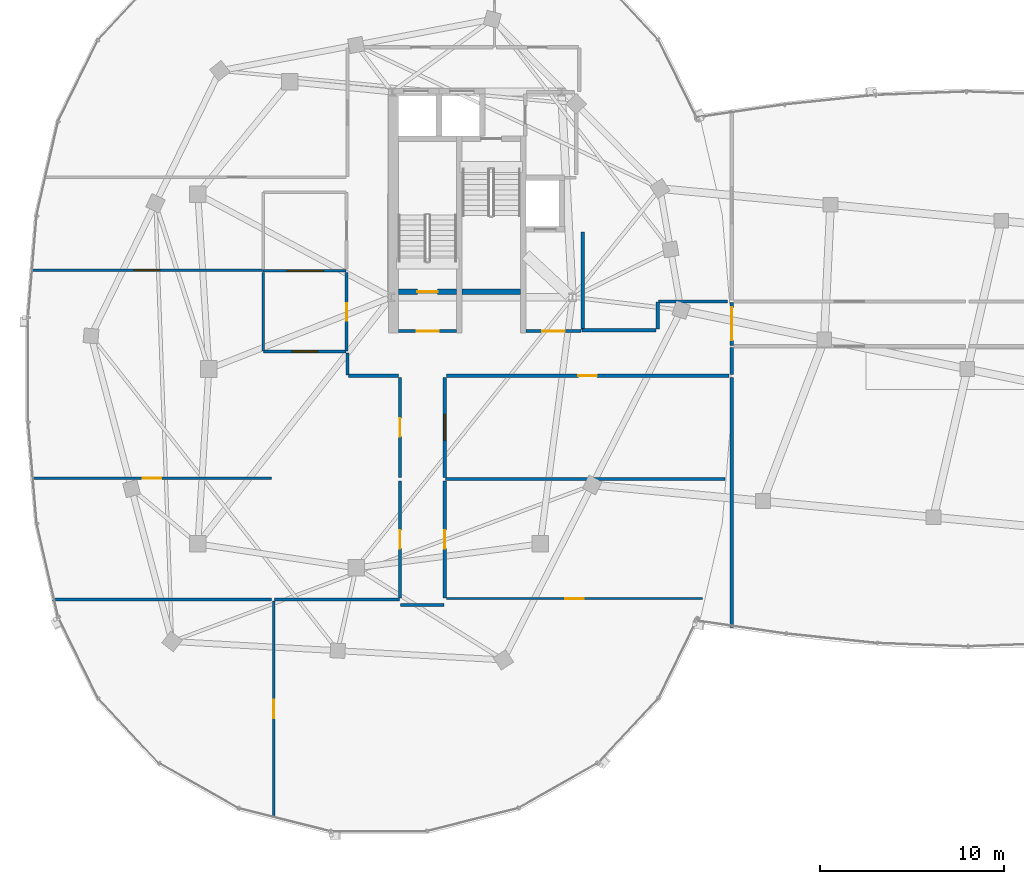
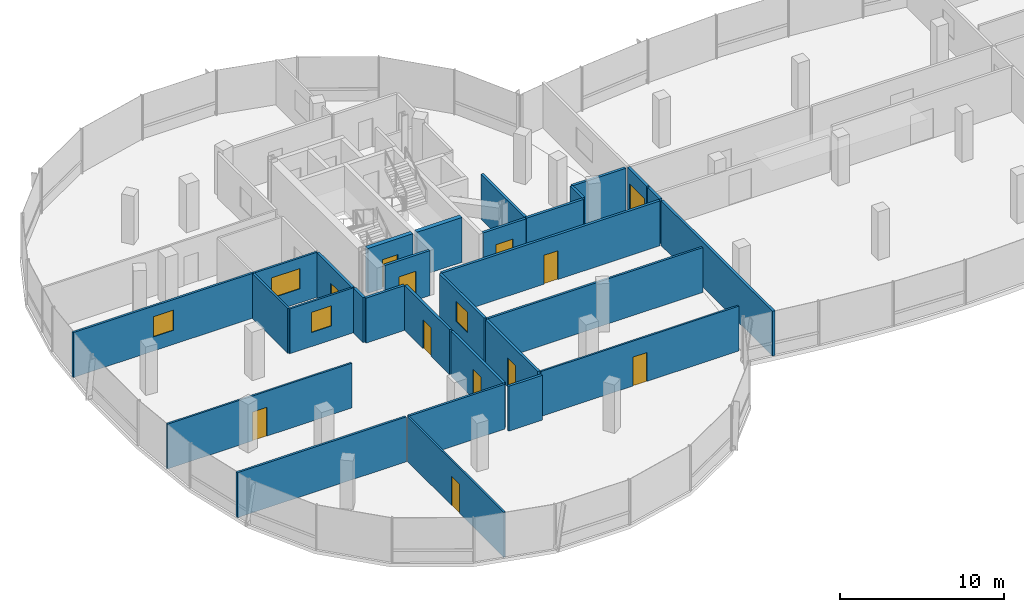
# One storey, part 14 of 26: 30 walls, 12 doors, 4 windows, 16 openings.
"""IFC4 building model written with IfcOpenShell, lengths in metres."""

from ifc_helpers import new_model, si_unit, direction, frame, frame_2d, origin, place, context, subcontext, project, spatial, rectangle, extrude, material, layer, layer_set, type_object, element, fill, save


model = new_model("IFC4")

# Units and contexts
model_context = context("Model", 3, precision=1e-05, world=origin(), true_north=direction((0.0, 1.0)))
body_context = subcontext(model_context, "Body", "Model", "MODEL_VIEW")
ifc_project = project(units=[si_unit("LENGTHUNIT", "METRE"), si_unit("AREAUNIT", "SQUARE_METRE"), si_unit("VOLUMEUNIT", "CUBIC_METRE"), si_unit("PLANEANGLEUNIT", "RADIAN"), si_unit("MASSUNIT", "GRAM", prefix="KILO"), si_unit("THERMODYNAMICTEMPERATUREUNIT", "KELVIN"), si_unit("POWERUNIT", "WATT")], contexts=[model_context])

# Site, building, storey
site_placement = place(None, origin())
site = spatial("IfcSite", under=ifc_project, at=site_placement, CompositionType="ELEMENT")
building_placement = place(site_placement, origin())
building = spatial("IfcBuilding", under=site, at=building_placement, Name="Cundina Bronze Exchange", CompositionType="ELEMENT")
storey_placement = place(building_placement, frame((0.0, 0.0, 243.199951171875)))
storey = spatial("IfcBuildingStorey", under=building, at=storey_placement, Name="L64", CompositionType="ELEMENT", Elevation=243.199951171875)

# Wall
ifc_material_1 = material(Name="Gypsum Fireboard Partition EI120")
ifc_layer_1 = layer(ifc_material_1, 0.179931640625, Name="Gypsum Fireboard Partition EI120")
ifc_layer_set_1 = layer_set([ifc_layer_1], Name="Gypsum Fireboard Partition EI120")
wall_type_1 = type_object("IfcWallType", Name="WL-COR-180", PredefinedType="PARTITIONING", material=ifc_layer_set_1)
wall_1_placement = place(storey_placement, frame((-20.889892578125, 2.14990234375, 0.0), z_axis=(0.0, 0.0, 1.0), x_axis=(0.0, 1.0, 0.0)))
element("IfcWall", 1, at=wall_1_placement, inside=storey, type_object=wall_type_1, Name="L64 W Firefighting Lobby Side Wall", PredefinedType="PARTITIONING", context=body_context, shape_type="SweptSolid", body=[
    extrude(rectangle(XDim=5.300048828125, YDim=0.179931640625, at=frame_2d((2.64990234375, 0.0))), origin(), (0.0, 0.0, 1.0), 3.340087890625),
])

# Wall, opening, door
wall_2_placement = place(storey_placement, frame((-23.97998046875, 2.06005859375, 0.0), z_axis=(0.0, 0.0, 1.0), x_axis=(1.0, 0.0, 0.0)))
wall_2 = element("IfcWall", 2, at=wall_2_placement, inside=storey, type_object=wall_type_1, Name="L64 W Firefighting Lobby Exit Wall", PredefinedType="PARTITIONING", context=body_context, shape_type="SweptSolid", body=[
    extrude(rectangle(XDim=3.0, YDim=0.179931640625, at=frame_2d((1.5, 0.0))), origin(), (0.0, 0.0, 1.0), 3.340087890625),
])
opening_1_placement = place(wall_2_placement, frame((0.89990234375, 0.0, 0.0)))
opening_1 = element("IfcOpeningElement", 3, at=opening_1_placement, cuts=wall_2, Name="Opening DF-01", PredefinedType="OPENING", context=body_context, shape_type="SweptSolid", body=[
    extrude(rectangle(XDim=1.199951171875, YDim=2.14990234375, at=frame_2d((0.60009765625, 1.074951171875))), frame((0.0, 0.099853515625, 0.0), z_axis=(0.0, -1.0, 0.0), x_axis=(1.0, 0.0, 0.0)), (0.0, 0.0, 1.0), 0.199951171875),
])
ifc_material_2 = material(Name="Steel ASTM A36 Painted", Category="steel")
door_type_1 = type_object("IfcDoorType", Name="DR-FFL-1200", OperationType="NOTDEFINED", PredefinedType="DOOR", material=ifc_material_2)
door_1_placement = place(opening_1_placement, origin())
door_1 = element("IfcDoor", 4, at=door_1_placement, inside=storey, type_object=door_type_1, Name="L64 W Firefighting Lobby Door", OperationType="SINGLE_SWING_RIGHT", OverallHeight=2.14990234375, OverallWidth=1.199951171875, PredefinedType="DOOR", context=body_context, shape_type="SweptSolid", body=[
    extrude(rectangle(XDim=1.199951171875, YDim=2.14990234375, at=frame_2d((0.60009765625, 1.074951171875))), frame((0.0, 0.02490234375, 0.0), z_axis=(0.0, -1.0, 0.0), x_axis=(1.0, 0.0, 0.0)), (0.0, 0.0, 1.0), 0.050048828125),
])
fill(opening_1, door_1)

wall_3_placement = place(storey_placement, frame((-30.89990234375, 2.06005859375, 0.0), z_axis=(0.0, 0.0, 1.0), x_axis=(1.0, 0.0, 0.0)))
wall_3 = element("IfcWall", 5, at=wall_3_placement, inside=storey, type_object=wall_type_1, Name="L64 W Stair Vestibule Exit Wall", PredefinedType="PARTITIONING", context=body_context, shape_type="SweptSolid", body=[
    extrude(rectangle(XDim=3.159912109375, YDim=0.179931640625, at=frame_2d((1.580078125, 0.0))), origin(), (0.0, 0.0, 1.0), 3.340087890625),
])
opening_2_placement = place(wall_3_placement, frame((0.97998046875, 0.0, 0.0)))
opening_2 = element("IfcOpeningElement", 6, at=opening_2_placement, cuts=wall_3, Name="Opening DF-01", PredefinedType="OPENING", context=body_context, shape_type="SweptSolid", body=[
    extrude(rectangle(XDim=1.199951171875, YDim=2.14990234375, at=frame_2d((0.60009765625, 1.074951171875))), frame((0.0, 0.099853515625, 0.0), z_axis=(0.0, -1.0, 0.0), x_axis=(1.0, 0.0, 0.0)), (0.0, 0.0, 1.0), 0.199951171875),
])
door_2_placement = place(opening_2_placement, origin())
door_2 = element("IfcDoor", 7, at=door_2_placement, inside=storey, type_object=door_type_1, Name="L64 W Stair Vestibule Door", OperationType="SINGLE_SWING_LEFT", OverallHeight=2.14990234375, OverallWidth=1.199951171875, PredefinedType="DOOR", context=body_context, shape_type="SweptSolid", body=[
    extrude(rectangle(XDim=1.199951171875, YDim=2.14990234375, at=frame_2d((0.60009765625, 1.074951171875))), frame((0.0, 0.02490234375, 0.0), z_axis=(0.0, -1.0, 0.0), x_axis=(1.0, 0.0, 0.0)), (0.0, 0.0, 1.0), 0.050048828125),
])
fill(opening_2, door_2)

wall_4_placement = place(storey_placement, frame((-33.719970703125, 0.969970703125, 0.0), z_axis=(0.0, 0.0, 1.0), x_axis=(0.0, 1.0, 0.0)))
wall_4 = element("IfcWall", 8, at=wall_4_placement, inside=storey, type_object=wall_type_1, Name="L64 Interior Partition 010", PredefinedType="PARTITIONING", context=body_context, shape_type="SweptSolid", body=[
    extrude(rectangle(XDim=4.260009765625, YDim=0.179931640625, at=frame_2d((2.1298828125, 0.0))), origin(), (0.0, 0.0, 1.0), 3.340087890625),
])
opening_3_placement = place(wall_4_placement, frame((1.655029296875, 0.0, 0.0)))
opening_3 = element("IfcOpeningElement", 9, at=opening_3_placement, cuts=wall_4, Name="Opening DW-01", PredefinedType="OPENING", context=body_context, shape_type="SweptSolid", body=[
    extrude(rectangle(XDim=0.949951171875, YDim=2.10009765625, at=frame_2d((0.47509765625, 1.050048828125))), frame((0.0, 0.099853515625, 0.0), z_axis=(0.0, -1.0, 0.0), x_axis=(1.0, 0.0, 0.0)), (0.0, 0.0, 1.0), 0.199951171875),
])
ifc_material_3 = material(Name="Solid Andean Oak Timber Grade A", Category="wood")
door_type_2 = type_object("IfcDoorType", Name="DR-WC-950", OperationType="NOTDEFINED", PredefinedType="DOOR", material=ifc_material_3)
door_3_placement = place(opening_3_placement, origin())
door_3 = element("IfcDoor", 10, at=door_3_placement, inside=storey, type_object=door_type_2, Name="L64 Interior Door 010", OperationType="SINGLE_SWING_LEFT", OverallHeight=2.10009765625, OverallWidth=0.949951171875, PredefinedType="DOOR", context=body_context, shape_type="SweptSolid", body=[
    extrude(rectangle(XDim=0.949951171875, YDim=2.10009765625, at=frame_2d((0.47509765625, 1.050048828125))), frame((0.0, 0.02490234375, 0.0), z_axis=(0.0, -1.0, 0.0), x_axis=(1.0, 0.0, 0.0)), (0.0, 0.0, 1.0), 0.050048828125),
])
fill(opening_3, door_3)

# Wall
wall_5_placement = place(storey_placement, frame((-30.778564453125, -12.820068359375, 0.0), z_axis=(0.0, 0.0, 1.0), x_axis=(1.0, 0.0, 0.0)))
element("IfcWall", 11, at=wall_5_placement, inside=storey, type_object=wall_type_1, Name="L64 Interior Partition 017", PredefinedType="PARTITIONING", context=body_context, shape_type="SweptSolid", body=[
    extrude(rectangle(XDim=2.357177734375, YDim=0.179931640625, at=frame_2d((1.1787109375, 0.0))), origin(), (0.0, 0.0, 1.0), 3.340087890625),
])

# Wall, opening, door
wall_6_placement = place(storey_placement, frame((-30.820068359375, -6.070068359375, 0.0), z_axis=(0.0, 0.0, 1.0), x_axis=(0.0, -1.0, 0.0)))
wall_6 = element("IfcWall", 12, at=wall_6_placement, inside=storey, type_object=wall_type_1, Name="L64 Interior Partition 018", PredefinedType="PARTITIONING", context=body_context, shape_type="SweptSolid", body=[
    extrude(rectangle(XDim=6.35986328125, YDim=0.179931640625, at=frame_2d((3.179931640625, 0.0))), origin(), (0.0, 0.0, 1.0), 3.340087890625),
])
opening_4_placement = place(wall_6_placement, frame((2.679931640625, 0.0, 0.0)))
opening_4 = element("IfcOpeningElement", 13, at=opening_4_placement, cuts=wall_6, Name="Opening DO-01", PredefinedType="OPENING", context=body_context, shape_type="SweptSolid", body=[
    extrude(rectangle(XDim=1.0, YDim=2.14990234375, at=frame_2d((0.5, 1.074951171875))), frame((0.0, 0.099853515625, 0.0), z_axis=(0.0, -1.0, 0.0), x_axis=(1.0, 0.0, 0.0)), (0.0, 0.0, 1.0), 0.199951171875),
])
door_type_3 = type_object("IfcDoorType", Name="DR-OFF-1000", OperationType="NOTDEFINED", PredefinedType="DOOR", material=ifc_material_3)
door_4_placement = place(opening_4_placement, origin())
door_4 = element("IfcDoor", 14, at=door_4_placement, inside=storey, type_object=door_type_3, Name="L64 Interior Door 018", OperationType="SINGLE_SWING_RIGHT", OverallHeight=2.14990234375, OverallWidth=1.0, PredefinedType="DOOR", context=body_context, shape_type="SweptSolid", body=[
    extrude(rectangle(XDim=1.0, YDim=2.14990234375, at=frame_2d((0.5, 1.074951171875))), frame((0.0, 0.02490234375, 0.0), z_axis=(0.0, -1.0, 0.0), x_axis=(1.0, 0.0, 0.0)), (0.0, 0.0, 1.0), 0.050048828125),
])
fill(opening_4, door_4)

wall_7_placement = place(storey_placement, frame((-28.3798828125, -12.429931640625, 0.0), z_axis=(0.0, 0.0, 1.0), x_axis=(0.0, 1.0, 0.0)))
wall_7 = element("IfcWall", 15, at=wall_7_placement, inside=storey, type_object=wall_type_1, Name="L64 Interior Partition 019", PredefinedType="PARTITIONING", context=body_context, shape_type="SweptSolid", body=[
    extrude(rectangle(XDim=6.35986328125, YDim=0.179931640625, at=frame_2d((3.179931640625, 0.0))), origin(), (0.0, 0.0, 1.0), 3.340087890625),
])
opening_5_placement = place(wall_7_placement, frame((2.679931640625, 0.0, 0.0)))
opening_5 = element("IfcOpeningElement", 16, at=opening_5_placement, cuts=wall_7, Name="Opening DO-01", PredefinedType="OPENING", context=body_context, shape_type="SweptSolid", body=[
    extrude(rectangle(XDim=1.0, YDim=2.14990234375, at=frame_2d((0.5, 1.074951171875))), frame((0.0, 0.099853515625, 0.0), z_axis=(0.0, -1.0, 0.0), x_axis=(1.0, 0.0, 0.0)), (0.0, 0.0, 1.0), 0.199951171875),
])
door_5_placement = place(opening_5_placement, origin())
door_5 = element("IfcDoor", 17, at=door_5_placement, inside=storey, type_object=door_type_3, Name="L64 Interior Door 019", OperationType="SINGLE_SWING_LEFT", OverallHeight=2.14990234375, OverallWidth=1.0, PredefinedType="DOOR", context=body_context, shape_type="SweptSolid", body=[
    extrude(rectangle(XDim=1.0, YDim=2.14990234375, at=frame_2d((0.5, 1.074951171875))), frame((0.0, 0.02490234375, 0.0), z_axis=(0.0, -1.0, 0.0), x_axis=(1.0, 0.0, 0.0)), (0.0, 0.0, 1.0), 0.050048828125),
])
fill(opening_5, door_5)

wall_8_placement = place(storey_placement, frame((-28.300048828125, -0.3701171875, 0.0), z_axis=(0.0, 0.0, 1.0), x_axis=(1.0, 0.0, 0.0)))
wall_8 = element("IfcWall", 18, at=wall_8_placement, inside=storey, type_object=wall_type_1, Name="L64 Interior Partition 020", PredefinedType="PARTITIONING", context=body_context, shape_type="SweptSolid", body=[
    extrude(rectangle(XDim=15.34912109375, YDim=0.179931640625, at=frame_2d((7.674560546875, 0.0))), origin(), (0.0, 0.0, 1.0), 3.340087890625),
])
opening_6_placement = place(wall_8_placement, frame((7.174560546875, 0.0, 0.0)))
opening_6 = element("IfcOpeningElement", 19, at=opening_6_placement, cuts=wall_8, Name="Opening DO-01", PredefinedType="OPENING", context=body_context, shape_type="SweptSolid", body=[
    extrude(rectangle(XDim=1.0, YDim=2.14990234375, at=frame_2d((0.5, 1.074951171875))), frame((0.0, 0.099853515625, 0.0), z_axis=(0.0, -1.0, 0.0), x_axis=(1.0, 0.0, 0.0)), (0.0, 0.0, 1.0), 0.199951171875),
])
door_6_placement = place(opening_6_placement, origin())
door_6 = element("IfcDoor", 20, at=door_6_placement, inside=storey, type_object=door_type_3, Name="L64 Interior Door 020", OperationType="SINGLE_SWING_LEFT", OverallHeight=2.14990234375, OverallWidth=1.0, PredefinedType="DOOR", context=body_context, shape_type="SweptSolid", body=[
    extrude(rectangle(XDim=1.0, YDim=2.14990234375, at=frame_2d((0.5, 1.074951171875))), frame((0.0, 0.02490234375, 0.0), z_axis=(0.0, -1.0, 0.0), x_axis=(1.0, 0.0, 0.0)), (0.0, 0.0, 1.0), 0.050048828125),
])
fill(opening_6, door_6)

# Wall, opening, window
wall_9_placement = place(storey_placement, frame((-28.3798828125, -5.889892578125, 0.0), z_axis=(0.0, 0.0, 1.0), x_axis=(0.0, 1.0, 0.0)))
wall_9 = element("IfcWall", 21, at=wall_9_placement, inside=storey, type_object=wall_type_1, Name="L64 Interior Partition 021", PredefinedType="PARTITIONING", context=body_context, shape_type="SweptSolid", body=[
    extrude(rectangle(XDim=5.43994140625, YDim=0.179931640625, at=frame_2d((2.719970703125, 0.0))), origin(), (0.0, 0.0, 1.0), 3.340087890625),
])
opening_7_placement = place(wall_9_placement, frame((2.02001953125, 0.0, 1.050048828125)))
opening_7 = element("IfcOpeningElement", 22, at=opening_7_placement, cuts=wall_9, Name="Opening WI-02", PredefinedType="OPENING", context=body_context, shape_type="SweptSolid", body=[
    extrude(rectangle(XDim=1.39990234375, YDim=1.5, at=frame_2d((0.699951171875, 0.75))), frame((0.0, 0.099853515625, 0.0), z_axis=(0.0, -1.0, 0.0), x_axis=(1.0, 0.0, 0.0)), (0.0, 0.0, 1.0), 0.199951171875),
])
ifc_material_4 = material(Name="Clear Low-E Insulating Glass 26mm", Category="glass")
window_type_1 = type_object("IfcWindowType", Name="WN-INT-1400", PartitioningType="SINGLE_PANEL", PredefinedType="WINDOW", material=ifc_material_4)
window_1_placement = place(opening_7_placement, origin())
window_1 = element("IfcWindow", 23, at=window_1_placement, inside=storey, type_object=window_type_1, Name="L64 Interior Acoustic Vision Window 021", OverallHeight=1.5, OverallWidth=1.39990234375, PartitioningType="SINGLE_PANEL", PredefinedType="WINDOW", context=body_context, shape_type="SweptSolid", body=[
    extrude(rectangle(XDim=1.39990234375, YDim=1.5, at=frame_2d((0.699951171875, 0.75))), frame((0.0, 0.030029296875, 0.0), z_axis=(0.0, -1.0, 0.0), x_axis=(1.0, 0.0, 0.0)), (0.0, 0.0, 1.0), 0.06005859375),
])
fill(opening_7, window_1)

# Wall, opening, door
wall_10_placement = place(storey_placement, frame((-30.820068359375, -0.449951171875, 0.0), z_axis=(0.0, 0.0, 1.0), x_axis=(0.0, -1.0, 0.0)))
wall_10 = element("IfcWall", 24, at=wall_10_placement, inside=storey, type_object=wall_type_1, Name="L64 Interior Partition 022", PredefinedType="PARTITIONING", context=body_context, shape_type="SweptSolid", body=[
    extrude(rectangle(XDim=5.43994140625, YDim=0.179931640625, at=frame_2d((2.719970703125, 0.0))), origin(), (0.0, 0.0, 1.0), 3.340087890625),
])
opening_8_placement = place(wall_10_placement, frame((2.219970703125, 0.0, 0.0)))
opening_8 = element("IfcOpeningElement", 25, at=opening_8_placement, cuts=wall_10, Name="Opening DO-01", PredefinedType="OPENING", context=body_context, shape_type="SweptSolid", body=[
    extrude(rectangle(XDim=1.0, YDim=2.14990234375, at=frame_2d((0.5, 1.074951171875))), frame((0.0, 0.099853515625, 0.0), z_axis=(0.0, -1.0, 0.0), x_axis=(1.0, 0.0, 0.0)), (0.0, 0.0, 1.0), 0.199951171875),
])
door_7_placement = place(opening_8_placement, origin())
door_7 = element("IfcDoor", 26, at=door_7_placement, inside=storey, type_object=door_type_3, Name="L64 Interior Door 022", OperationType="SINGLE_SWING_RIGHT", OverallHeight=2.14990234375, OverallWidth=1.0, PredefinedType="DOOR", context=body_context, shape_type="SweptSolid", body=[
    extrude(rectangle(XDim=1.0, YDim=2.14990234375, at=frame_2d((0.5, 1.074951171875))), frame((0.0, 0.02490234375, 0.0), z_axis=(0.0, -1.0, 0.0), x_axis=(1.0, 0.0, 0.0)), (0.0, 0.0, 1.0), 0.050048828125),
])
fill(opening_8, door_7)

# Walls
wall_11_placement = place(storey_placement, frame((-33.62841796875, -0.3701171875, 0.0), z_axis=(0.0, 0.0, 1.0), x_axis=(1.0, 0.0, 0.0)))
element("IfcWall", 27, at=wall_11_placement, inside=storey, type_object=wall_type_1, Name="L64 Interior Partition 023", PredefinedType="PARTITIONING", context=body_context, shape_type="SweptSolid", body=[
    extrude(rectangle(XDim=2.728515625, YDim=0.179931640625, at=frame_2d((1.3642578125, 0.0))), origin(), (0.0, 0.0, 1.0), 3.340087890625),
])
wall_12_placement = place(storey_placement, frame((-33.669921875, 0.858642578125, 0.0), z_axis=(0.0, 0.0, 1.0), x_axis=(0.0, -1.0, 0.0)))
element("IfcWall", 28, at=wall_12_placement, inside=storey, type_object=wall_type_1, Name="L64 Interior Partition 024", PredefinedType="PARTITIONING", context=body_context, shape_type="SweptSolid", body=[
    extrude(rectangle(XDim=1.187255859375, YDim=0.179931640625, at=frame_2d((0.59375, 0.0))), origin(), (0.0, 0.0, 1.0), 3.340087890625),
])
wall_13_placement = place(storey_placement, frame((-16.89990234375, 2.10009765625, 0.0), z_axis=(0.0, 0.0, 1.0), x_axis=(-1.0, 0.0, 0.0)))
element("IfcWall", 29, at=wall_13_placement, inside=storey, type_object=wall_type_1, Name="L64 Interior Partition 026", PredefinedType="PARTITIONING", context=body_context, shape_type="SweptSolid", body=[
    extrude(rectangle(XDim=4.02001953125, YDim=0.179931640625, at=frame_2d((2.010009765625, 0.0))), origin(), (0.0, 0.0, 1.0), 3.340087890625),
])
wall_14_placement = place(storey_placement, frame((-13.025634765625, 3.669921875, 0.0), z_axis=(0.0, 0.0, 1.0), x_axis=(-1.0, 0.0, 0.0)))
element("IfcWall", 30, at=wall_14_placement, inside=storey, type_object=wall_type_1, Name="L64 Interior Partition 027", PredefinedType="PARTITIONING", context=body_context, shape_type="SweptSolid", body=[
    extrude(rectangle(XDim=3.7529296875, YDim=0.179931640625, at=frame_2d((1.87646484375, 0.0))), origin(), (0.0, 0.0, 1.0), 3.340087890625),
])
wall_15_placement = place(storey_placement, frame((-16.820068359375, 3.62841796875, 0.0), z_axis=(0.0, 0.0, 1.0), x_axis=(0.0, -1.0, 0.0)))
element("IfcWall", 31, at=wall_15_placement, inside=storey, type_object=wall_type_1, Name="L64 Interior Partition 029", PredefinedType="PARTITIONING", context=body_context, shape_type="SweptSolid", body=[
    extrude(rectangle(XDim=1.448486328125, YDim=0.179931640625, at=frame_2d((0.72412109375, 0.0))), origin(), (0.0, 0.0, 1.0), 3.340087890625),
])
wall_16_placement = place(storey_placement, frame((-12.800048828125, -14.043701171875, 0.0), z_axis=(0.0, 0.0, 1.0), x_axis=(0.0, 1.0, 0.0)))
element("IfcWall", 32, at=wall_16_placement, inside=storey, type_object=wall_type_1, Name="L64 Interior Partition 072", PredefinedType="PARTITIONING", context=body_context, shape_type="SweptSolid", body=[
    extrude(rectangle(XDim=13.588623046875, YDim=0.179931640625, at=frame_2d((6.79443359375, 0.0))), origin(), (0.0, 0.0, 1.0), 3.340087890625),
])
wall_17_placement = place(storey_placement, frame((-12.800048828125, -0.284912109375, 0.0), z_axis=(0.0, 0.0, 1.0), x_axis=(0.0, 1.0, 0.0)))
element("IfcWall", 33, at=wall_17_placement, inside=storey, type_object=wall_type_1, Name="L64 Interior Partition 073", PredefinedType="PARTITIONING", context=body_context, shape_type="SweptSolid", body=[
    extrude(rectangle(XDim=1.44482421875, YDim=0.179931640625, at=frame_2d((0.722412109375, 0.0))), origin(), (0.0, 0.0, 1.0), 3.340087890625),
])

# Wall, opening, door
wall_18_placement = place(storey_placement, frame((-12.800048828125, 1.280029296875, 0.0), z_axis=(0.0, 0.0, 1.0), x_axis=(0.0, 1.0, 0.0)))
wall_18 = element("IfcWall", 34, at=wall_18_placement, inside=storey, type_object=wall_type_1, Name="L64 Interior Partition 075", PredefinedType="PARTITIONING", context=body_context, shape_type="SweptSolid", body=[
    extrude(rectangle(XDim=2.340087890625, YDim=0.179931640625, at=frame_2d((1.169921875, 0.0))), origin(), (0.0, 0.0, 1.0), 3.340087890625),
])
opening_9_placement = place(wall_18_placement, frame((0.27001953125, 0.0, 0.0)))
opening_9 = element("IfcOpeningElement", 35, at=opening_9_placement, cuts=wall_18, Name="Opening DB-01", PredefinedType="OPENING", context=body_context, shape_type="SweptSolid", body=[
    extrude(rectangle(XDim=1.800048828125, YDim=2.25, at=frame_2d((0.89990234375, 1.125))), frame((0.0, 0.099853515625, 0.0), z_axis=(0.0, -1.0, 0.0), x_axis=(1.0, 0.0, 0.0)), (0.0, 0.0, 1.0), 0.199951171875),
])
door_type_4 = type_object("IfcDoorType", Name="DR-BRG-1800", OperationType="NOTDEFINED", PredefinedType="DOOR", material=ifc_material_2)
door_8_placement = place(opening_9_placement, origin())
door_8 = element("IfcDoor", 36, at=door_8_placement, inside=storey, type_object=door_type_4, Name="L64 Interior Door 075", OperationType="DOUBLE_DOOR_SINGLE_SWING", OverallHeight=2.25, OverallWidth=1.800048828125, PredefinedType="DOOR", context=body_context, shape_type="SweptSolid", body=[
    extrude(rectangle(XDim=1.800048828125, YDim=2.25, at=frame_2d((0.89990234375, 1.125))), frame((0.0, 0.02490234375, 0.0), z_axis=(0.0, -1.0, 0.0), x_axis=(1.0, 0.0, 0.0)), (0.0, 0.0, 1.0), 0.050048828125),
])
fill(opening_9, door_8)

ifc_material_5 = material(Name="Gypsum Acoustic Partition EI60")
ifc_layer_2 = layer(ifc_material_5, 0.125, Name="Gypsum Acoustic Partition EI60")
ifc_layer_set_2 = layer_set([ifc_layer_2], Name="Gypsum Acoustic Partition EI60")
wall_type_2 = type_object("IfcWallType", Name="WL-OFF-125", PredefinedType="PARTITIONING", material=ifc_layer_set_2)
wall_19_placement = place(storey_placement, frame((-28.300048828125, -12.469970703125, 0.0), z_axis=(0.0, 0.0, 1.0), x_axis=(1.0, 0.0, 0.0)))
wall_19 = element("IfcWall", 37, at=wall_19_placement, inside=storey, type_object=wall_type_2, Name="L64 Interior Partition 032", PredefinedType="PARTITIONING", context=body_context, shape_type="SweptSolid", body=[
    extrude(rectangle(XDim=13.918701171875, YDim=0.125, at=frame_2d((6.95947265625, 0.0))), origin(), (0.0, 0.0, 1.0), 3.340087890625),
])
opening_10_placement = place(wall_19_placement, frame((6.459228515625, 0.0, 0.0)))
opening_10 = element("IfcOpeningElement", 38, at=opening_10_placement, cuts=wall_19, Name="Opening DO-01", PredefinedType="OPENING", context=body_context, shape_type="SweptSolid", body=[
    extrude(rectangle(XDim=1.0, YDim=2.14990234375, at=frame_2d((0.5, 1.074951171875))), frame((0.0, 0.072509765625, 0.0), z_axis=(0.0, -1.0, 0.0), x_axis=(1.0, 0.0, 0.0)), (0.0, 0.0, 1.0), 0.14501953125),
])
door_9_placement = place(opening_10_placement, origin())
door_9 = element("IfcDoor", 39, at=door_9_placement, inside=storey, type_object=door_type_3, Name="L64 Interior Door 032", OperationType="SINGLE_SWING_RIGHT", OverallHeight=2.14990234375, OverallWidth=1.0, PredefinedType="DOOR", context=body_context, shape_type="SweptSolid", body=[
    extrude(rectangle(XDim=1.0, YDim=2.14990234375, at=frame_2d((0.5, 1.074951171875))), frame((0.0, 0.02490234375, 0.0), z_axis=(0.0, -1.0, 0.0), x_axis=(1.0, 0.0, 0.0)), (0.0, 0.0, 1.0), 0.050048828125),
])
fill(opening_10, door_9)

wall_20_placement = place(storey_placement, frame((-37.669921875, -12.610107421875, 0.0), z_axis=(0.0, 0.0, 1.0), x_axis=(0.0, -1.0, 0.0)))
wall_20 = element("IfcWall", 40, at=wall_20_placement, inside=storey, type_object=wall_type_2, Name="L64 Interior Partition 033", PredefinedType="PARTITIONING", context=body_context, shape_type="SweptSolid", body=[
    extrude(rectangle(XDim=11.7314453125, YDim=0.125, at=frame_2d((5.86572265625, 0.0))), origin(), (0.0, 0.0, 1.0), 3.340087890625),
])
opening_11_placement = place(wall_20_placement, frame((5.36572265625, 0.0, 0.0)))
opening_11 = element("IfcOpeningElement", 41, at=opening_11_placement, cuts=wall_20, Name="Opening DO-01", PredefinedType="OPENING", context=body_context, shape_type="SweptSolid", body=[
    extrude(rectangle(XDim=1.0, YDim=2.14990234375, at=frame_2d((0.5, 1.074951171875))), frame((0.0, 0.072509765625, 0.0), z_axis=(0.0, -1.0, 0.0), x_axis=(1.0, 0.0, 0.0)), (0.0, 0.0, 1.0), 0.14501953125),
])
door_10_placement = place(opening_11_placement, origin())
door_10 = element("IfcDoor", 42, at=door_10_placement, inside=storey, type_object=door_type_3, Name="L64 Interior Door 033", OperationType="SINGLE_SWING_LEFT", OverallHeight=2.14990234375, OverallWidth=1.0, PredefinedType="DOOR", context=body_context, shape_type="SweptSolid", body=[
    extrude(rectangle(XDim=1.0, YDim=2.14990234375, at=frame_2d((0.5, 1.074951171875))), frame((0.0, 0.02490234375, 0.0), z_axis=(0.0, -1.0, 0.0), x_axis=(1.0, 0.0, 0.0)), (0.0, 0.0, 1.0), 0.050048828125),
])
fill(opening_11, door_10)

wall_21_placement = place(storey_placement, frame((-50.779296875, -5.929931640625, 0.0), z_axis=(0.0, 0.0, 1.0), x_axis=(1.0, 0.0, 0.0)))
wall_21 = element("IfcWall", 43, at=wall_21_placement, inside=storey, type_object=wall_type_2, Name="L64 Interior Partition 034", PredefinedType="PARTITIONING", context=body_context, shape_type="SweptSolid", body=[
    extrude(rectangle(XDim=12.96923828125, YDim=0.125, at=frame_2d((6.484619140625, 0.0))), origin(), (0.0, 0.0, 1.0), 3.340087890625),
])
opening_12_placement = place(wall_21_placement, frame((5.984619140625, 0.0, 0.0)))
opening_12 = element("IfcOpeningElement", 44, at=opening_12_placement, cuts=wall_21, Name="Opening DO-01", PredefinedType="OPENING", context=body_context, shape_type="SweptSolid", body=[
    extrude(rectangle(XDim=1.0, YDim=2.14990234375, at=frame_2d((0.5, 1.074951171875))), frame((0.0, 0.072509765625, 0.0), z_axis=(0.0, -1.0, 0.0), x_axis=(1.0, 0.0, 0.0)), (0.0, 0.0, 1.0), 0.14501953125),
])
door_11_placement = place(opening_12_placement, origin())
door_11 = element("IfcDoor", 45, at=door_11_placement, inside=storey, type_object=door_type_3, Name="L64 Interior Door 034", OperationType="SINGLE_SWING_LEFT", OverallHeight=2.14990234375, OverallWidth=1.0, PredefinedType="DOOR", context=body_context, shape_type="SweptSolid", body=[
    extrude(rectangle(XDim=1.0, YDim=2.14990234375, at=frame_2d((0.5, 1.074951171875))), frame((0.0, 0.02490234375, 0.0), z_axis=(0.0, -1.0, 0.0), x_axis=(1.0, 0.0, 0.0)), (0.0, 0.0, 1.0), 0.050048828125),
])
fill(opening_12, door_11)

ifc_material_6 = material(Name="Concrete C50/60", Category="concrete")
ifc_layer_3 = layer(ifc_material_6, 0.300048828125, Name="Concrete C50/60", Category="concrete")
ifc_layer_set_3 = layer_set([ifc_layer_3], Name="Concrete C50/60")
wall_type_3 = type_object("IfcWallType", Name="WL-SHFT-300", PredefinedType="SHEAR", material=ifc_layer_set_3)
wall_22_placement = place(storey_placement, frame((-30.89990234375, 4.199951171875, 0.0), z_axis=(0.0, 0.0, 1.0), x_axis=(1.0, 0.0, 0.0)))
wall_22 = element("IfcWall", 46, at=wall_22_placement, inside=storey, type_object=wall_type_3, Name="L64 Stair W1 Landing Wall", PredefinedType="SHEAR", context=body_context, shape_type="SweptSolid", body=[
    extrude(rectangle(XDim=3.159912109375, YDim=0.300048828125, at=frame_2d((1.580078125, 0.0))), origin(), (0.0, 0.0, 1.0), 3.340087890625),
])
opening_13_placement = place(wall_22_placement, frame((1.030029296875, 0.0, 0.0)))
opening_13 = element("IfcOpeningElement", 47, at=opening_13_placement, cuts=wall_22, Name="Opening DS-01", PredefinedType="OPENING", context=body_context, shape_type="SweptSolid", body=[
    extrude(rectangle(XDim=1.10009765625, YDim=2.14990234375, at=frame_2d((0.550048828125, 1.074951171875))), frame((0.0, 0.159912109375, 0.0), z_axis=(0.0, -1.0, 0.0), x_axis=(1.0, 0.0, 0.0)), (0.0, 0.0, 1.0), 0.320068359375),
])
door_type_5 = type_object("IfcDoorType", Name="DR-STR-1100", OperationType="NOTDEFINED", PredefinedType="DOOR", material=ifc_material_2)
door_12_placement = place(opening_13_placement, origin())
door_12 = element("IfcDoor", 48, at=door_12_placement, inside=storey, type_object=door_type_5, Name="L64 Smokeproof Stair W1 Door", OperationType="SINGLE_SWING_RIGHT", OverallHeight=2.14990234375, OverallWidth=1.10009765625, PredefinedType="DOOR", context=body_context, shape_type="SweptSolid", body=[
    extrude(rectangle(XDim=1.10009765625, YDim=2.14990234375, at=frame_2d((0.550048828125, 1.074951171875))), frame((0.0, 0.02490234375, 0.0), z_axis=(0.0, -1.0, 0.0), x_axis=(1.0, 0.0, 0.0)), (0.0, 0.0, 1.0), 0.050048828125),
])
fill(opening_13, door_12)

# Walls
wall_23_placement = place(storey_placement, frame((-27.43994140625, 4.199951171875, 0.0), z_axis=(0.0, 0.0, 1.0), x_axis=(1.0, 0.0, 0.0)))
element("IfcWall", 49, at=wall_23_placement, inside=storey, type_object=wall_type_3, Name="L64 Stair W2 Far Shaft Wall", PredefinedType="SHEAR", context=body_context, shape_type="SweptSolid", body=[
    extrude(rectangle(XDim=3.159912109375, YDim=0.300048828125, at=frame_2d((1.580078125, 0.0))), origin(), (0.0, 0.0, 1.0), 3.340087890625),
])
ifc_layer_4 = layer(ifc_material_5, 0.14990234375, Name="Gypsum Acoustic Partition EI60")
ifc_layer_set_4 = layer_set([ifc_layer_4], Name="Gypsum Acoustic Partition EI60")
wall_type_4 = type_object("IfcWallType", Name="WL-TEN-150", PredefinedType="PARTITIONING", material=ifc_layer_set_4)
wall_24_placement = place(storey_placement, frame((-28.35009765625, -5.97998046875, 0.0), z_axis=(0.0, 0.0, 1.0), x_axis=(1.0, 0.0, 0.0)))
element("IfcWall", 50, at=wall_24_placement, inside=storey, type_object=wall_type_4, Name="L64 Interior Partition 012", PredefinedType="PARTITIONING", context=body_context, shape_type="SweptSolid", body=[
    extrude(rectangle(XDim=15.185302734375, YDim=0.14990234375, at=frame_2d((7.5927734375, 0.0))), origin(), (0.0, 0.0, 1.0), 3.340087890625),
])
wall_25_placement = place(storey_placement, frame((-49.685791015625, -12.52001953125, 0.0), z_axis=(0.0, 0.0, 1.0), x_axis=(1.0, 0.0, 0.0)))
element("IfcWall", 51, at=wall_25_placement, inside=storey, type_object=wall_type_4, Name="L64 Interior Partition 013", PredefinedType="PARTITIONING", context=body_context, shape_type="SweptSolid", body=[
    extrude(rectangle(XDim=11.880859375, YDim=0.14990234375, at=frame_2d((5.9404296875, 0.0))), origin(), (0.0, 0.0, 1.0), 3.340087890625),
])
wall_26_placement = place(storey_placement, frame((-37.635009765625, -12.52001953125, 0.0), z_axis=(0.0, 0.0, 1.0), x_axis=(1.0, 0.0, 0.0)))
element("IfcWall", 52, at=wall_26_placement, inside=storey, type_object=wall_type_4, Name="L64 Interior Partition 014", PredefinedType="PARTITIONING", context=body_context, shape_type="SweptSolid", body=[
    extrude(rectangle(XDim=6.784912109375, YDim=0.14990234375, at=frame_2d((3.392578125, 0.0))), origin(), (0.0, 0.0, 1.0), 3.340087890625),
])

# Wall, opening, window
wall_27_placement = place(storey_placement, frame((-50.887451171875, 5.360107421875, 0.0), z_axis=(0.0, 0.0, 1.0), x_axis=(1.0, 0.0, 0.0)))
wall_27 = element("IfcWall", 53, at=wall_27_placement, inside=storey, type_object=wall_type_4, Name="L64 Interior Partition 015", PredefinedType="PARTITIONING", context=body_context, shape_type="SweptSolid", body=[
    extrude(rectangle(XDim=12.647705078125, YDim=0.14990234375, at=frame_2d((6.32373046875, 0.0))), origin(), (0.0, 0.0, 1.0), 3.340087890625),
])
opening_14_placement = place(wall_27_placement, frame((5.6240234375, 0.0, 1.050048828125)))
opening_14 = element("IfcOpeningElement", 54, at=opening_14_placement, cuts=wall_27, Name="Opening WI-02", PredefinedType="OPENING", context=body_context, shape_type="SweptSolid", body=[
    extrude(rectangle(XDim=1.39990234375, YDim=1.5, at=frame_2d((0.699951171875, 0.75))), frame((0.0, 0.0849609375, 0.0), z_axis=(0.0, -1.0, 0.0), x_axis=(1.0, 0.0, 0.0)), (0.0, 0.0, 1.0), 0.169921875),
])
window_2_placement = place(opening_14_placement, origin())
window_2 = element("IfcWindow", 55, at=window_2_placement, inside=storey, type_object=window_type_1, Name="L64 Interior Acoustic Vision Window 015", OverallHeight=1.5, OverallWidth=1.39990234375, PartitioningType="SINGLE_PANEL", PredefinedType="WINDOW", context=body_context, shape_type="SweptSolid", body=[
    extrude(rectangle(XDim=1.39990234375, YDim=1.5, at=frame_2d((0.699951171875, 0.75))), frame((0.0, 0.030029296875, 0.0), z_axis=(0.0, -1.0, 0.0), x_axis=(1.0, 0.0, 0.0)), (0.0, 0.0, 1.0), 0.06005859375),
])
fill(opening_14, window_2)

# Wall
ifc_material_7 = material(Name="Moisture-Resistant Masonry Block Grade M15", Category="masonry")
ifc_layer_5 = layer(ifc_material_7, 0.139892578125, Name="Moisture-Resistant Masonry Block Grade M15", Category="masonry")
ifc_layer_set_5 = layer_set([ifc_layer_5], Name="Moisture-Resistant Masonry Block Grade M15")
wall_type_5 = type_object("IfcWallType", Name="WL-WET-140", PredefinedType="PARTITIONING", material=ifc_layer_set_5)
wall_28_placement = place(storey_placement, frame((-38.239990234375, 0.969970703125, 0.0), z_axis=(0.0, 0.0, 1.0), x_axis=(0.0, 1.0, 0.0)))
element("IfcWall", 56, at=wall_28_placement, inside=storey, type_object=wall_type_5, Name="L64 Interior Partition 005", PredefinedType="PARTITIONING", context=body_context, shape_type="SweptSolid", body=[
    extrude(rectangle(XDim=4.275146484375, YDim=0.139892578125, at=frame_2d((2.1376953125, 0.0))), origin(), (0.0, 0.0, 1.0), 3.340087890625),
])

# Wall, opening, window
wall_29_placement = place(storey_placement, frame((-38.219970703125, 0.949951171875, 0.0), z_axis=(0.0, 0.0, 1.0), x_axis=(1.0, 0.0, 0.0)))
wall_29 = element("IfcWall", 57, at=wall_29_placement, inside=storey, type_object=wall_type_5, Name="L64 Interior Partition 007", PredefinedType="PARTITIONING", context=body_context, shape_type="SweptSolid", body=[
    extrude(rectangle(XDim=4.47998046875, YDim=0.139892578125, at=frame_2d((2.239990234375, 0.0))), origin(), (0.0, 0.0, 1.0), 3.340087890625),
])
opening_15_placement = place(wall_29_placement, frame((1.5400390625, 0.0, 1.050048828125)))
opening_15 = element("IfcOpeningElement", 58, at=opening_15_placement, cuts=wall_29, Name="Opening WI-02", PredefinedType="OPENING", context=body_context, shape_type="SweptSolid", body=[
    extrude(rectangle(XDim=1.39990234375, YDim=1.5, at=frame_2d((0.699951171875, 0.75))), frame((0.0, 0.079833984375, 0.0), z_axis=(0.0, -1.0, 0.0), x_axis=(1.0, 0.0, 0.0)), (0.0, 0.0, 1.0), 0.159912109375),
])
window_3_placement = place(opening_15_placement, origin())
window_3 = element("IfcWindow", 59, at=window_3_placement, inside=storey, type_object=window_type_1, Name="L64 Interior Acoustic Vision Window 007", OverallHeight=1.5, OverallWidth=1.39990234375, PartitioningType="SINGLE_PANEL", PredefinedType="WINDOW", context=body_context, shape_type="SweptSolid", body=[
    extrude(rectangle(XDim=1.39990234375, YDim=1.5, at=frame_2d((0.699951171875, 0.75))), frame((0.0, 0.030029296875, 0.0), z_axis=(0.0, -1.0, 0.0), x_axis=(1.0, 0.0, 0.0)), (0.0, 0.0, 1.0), 0.06005859375),
])
fill(opening_15, window_3)

wall_30_placement = place(storey_placement, frame((-38.219970703125, 5.330078125, 0.0), z_axis=(0.0, 0.0, 1.0), x_axis=(1.0, 0.0, 0.0)))
wall_30 = element("IfcWall", 60, at=wall_30_placement, inside=storey, type_object=wall_type_5, Name="L64 Interior Partition 008", PredefinedType="PARTITIONING", context=body_context, shape_type="SweptSolid", body=[
    extrude(rectangle(XDim=4.47998046875, YDim=0.139892578125, at=frame_2d((2.239990234375, 0.0))), origin(), (0.0, 0.0, 1.0), 3.340087890625),
])
opening_16_placement = place(wall_30_placement, frame((1.239990234375, 0.0, 1.050048828125)))
opening_16 = element("IfcOpeningElement", 61, at=opening_16_placement, cuts=wall_30, Name="Opening WI-01", PredefinedType="OPENING", context=body_context, shape_type="SweptSolid", body=[
    extrude(rectangle(XDim=2.0, YDim=1.5, at=frame_2d((1.0, 0.75))), frame((0.0, 0.079833984375, 0.0), z_axis=(0.0, -1.0, 0.0), x_axis=(1.0, 0.0, 0.0)), (0.0, 0.0, 1.0), 0.159912109375),
])
window_type_2 = type_object("IfcWindowType", Name="WN-INT-2000", PartitioningType="SINGLE_PANEL", PredefinedType="WINDOW", material=ifc_material_4)
window_4_placement = place(opening_16_placement, origin())
window_4 = element("IfcWindow", 62, at=window_4_placement, inside=storey, type_object=window_type_2, Name="L64 Interior Acoustic Vision Window 008", OverallHeight=1.5, OverallWidth=2.0, PartitioningType="SINGLE_PANEL", PredefinedType="WINDOW", context=body_context, shape_type="SweptSolid", body=[
    extrude(rectangle(XDim=2.0, YDim=1.5, at=frame_2d((1.0, 0.75))), frame((0.0, 0.030029296875, 0.0), z_axis=(0.0, -1.0, 0.0), x_axis=(1.0, 0.0, 0.0)), (0.0, 0.0, 1.0), 0.06005859375),
])
fill(opening_16, window_4)

save(model, "model.ifc")
